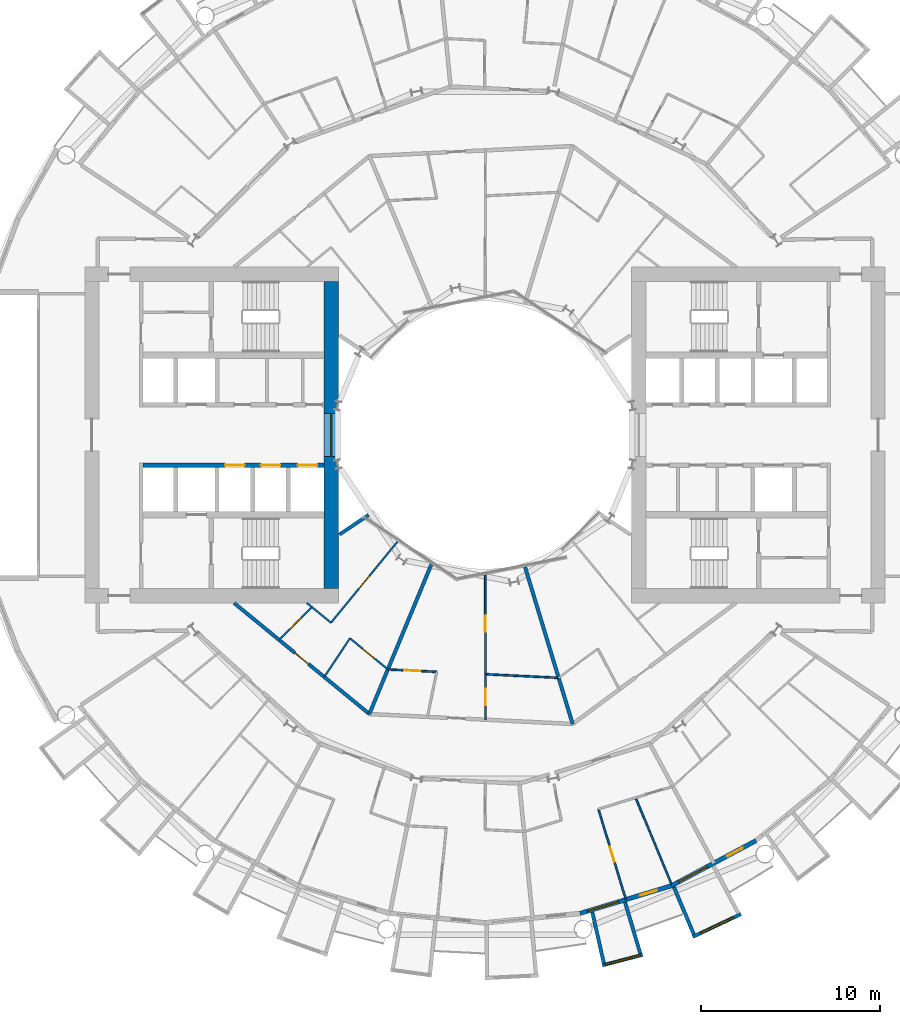
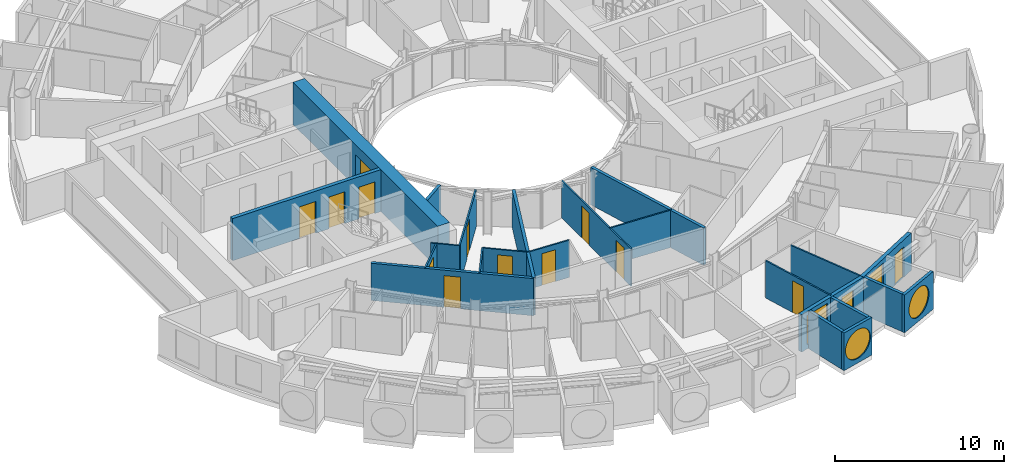
# One storey, part 15 of 25: 23 walls, 13 doors, 5 windows, 18 openings.
"""IFC4 building model written with IfcOpenShell, lengths in metres."""

from ifc_helpers import new_model, si_unit, direction, frame, frame_2d, origin, place, context, subcontext, project, spatial, rectangle, circle, extrude, material, layer, layer_set, type_object, element, fill, save


model = new_model("IFC4")

# Units and contexts
model_context = context("Model", 3, precision=1e-05, world=origin(), true_north=direction((0.0, 1.0)))
body_context = subcontext(model_context, "Body", "Model", "MODEL_VIEW")
ifc_project = project(units=[si_unit("LENGTHUNIT", "METRE"), si_unit("AREAUNIT", "SQUARE_METRE"), si_unit("VOLUMEUNIT", "CUBIC_METRE"), si_unit("PLANEANGLEUNIT", "RADIAN"), si_unit("MASSUNIT", "GRAM", prefix="KILO")], contexts=[model_context])

# Site, building, storey
site_placement = place(None, origin())
site = spatial("IfcSite", under=ifc_project, at=site_placement, CompositionType="ELEMENT")
building_placement = place(site_placement, origin())
building = spatial("IfcBuilding", under=site, at=building_placement, Name="Maasbend Ring Residences", CompositionType="ELEMENT")
storey_placement = place(building_placement, frame((0.0, 0.0, 41.10009765625)))
storey = spatial("IfcBuildingStorey", under=building, at=storey_placement, Name="L11", CompositionType="ELEMENT", Elevation=41.10009765625)

# Wall, openings, doors
ifc_material_1 = material(Name="Concrete C70/85", Category="concrete")
ifc_layer_1 = layer(ifc_material_1, 0.25)
ifc_layer_set_1 = layer_set([ifc_layer_1], Name="Concrete C70/85")
wall_type_1 = type_object("IfcWallType", Name="CORE WALL 250 C70/85", PredefinedType="SHEAR", material=ifc_layer_set_1)
wall_1_placement = place(storey_placement, frame((-9.0, -1.699951171875, 0.0), z_axis=(0.0, 0.0, 1.0), x_axis=(-1.0, 0.0, 0.0)))
wall_1 = element("IfcWall", 1, at=wall_1_placement, inside=storey, type_object=wall_type_1, Name="L11 core W wall SPN", PredefinedType="SHEAR", context=body_context, shape_type="SweptSolid", body=[
    extrude(rectangle(XDim=10.14990234375, YDim=0.25, at=frame_2d((5.074951171875, 0.0))), origin(), (0.0, 0.0, 1.0), 3.0498046875),
])
opening_1_placement = place(wall_1_placement, frame((0.387451171875, 0.0, 0.0)))
opening_1 = element("IfcOpeningElement", 2, at=opening_1_placement, cuts=wall_1, Name="Opening LD-W1101", PredefinedType="OPENING", context=body_context, shape_type="SweptSolid", body=[
    extrude(rectangle(XDim=1.10009765625, YDim=2.300048828125, at=frame_2d((0.550048828125, 1.14990234375))), frame((0.0, 0.135009765625, 0.0), z_axis=(0.0, -1.0, 0.0), x_axis=(1.0, 0.0, 0.0)), (0.0, 0.0, 1.0), 0.27001953125),
])
opening_2_placement = place(wall_1_placement, frame((2.449951171875, 0.0, 0.0)))
opening_2 = element("IfcOpeningElement", 3, at=opening_2_placement, cuts=wall_1, Name="Opening LD-W1102", PredefinedType="OPENING", context=body_context, shape_type="SweptSolid", body=[
    extrude(rectangle(XDim=1.10009765625, YDim=2.300048828125, at=frame_2d((0.550048828125, 1.14990234375))), frame((0.0, 0.135009765625, 0.0), z_axis=(0.0, -1.0, 0.0), x_axis=(1.0, 0.0, 0.0)), (0.0, 0.0, 1.0), 0.27001953125),
])
opening_3_placement = place(wall_1_placement, frame((4.449951171875, 0.0, 0.0)))
opening_3 = element("IfcOpeningElement", 4, at=opening_3_placement, cuts=wall_1, Name="Opening LD-W1103", PredefinedType="OPENING", context=body_context, shape_type="SweptSolid", body=[
    extrude(rectangle(XDim=1.10009765625, YDim=2.300048828125, at=frame_2d((0.550048828125, 1.14990234375))), frame((0.0, 0.135009765625, 0.0), z_axis=(0.0, -1.0, 0.0), x_axis=(1.0, 0.0, 0.0)), (0.0, 0.0, 1.0), 0.27001953125),
])
ifc_material_2 = material(Name="Stainless steel 316", Category="steel")
door_type_1 = type_object("IfcDoorType", Name="LANDING DOOR 1100 X 2300 FD60", OperationType="DOUBLE_DOOR_SLIDING", PredefinedType="DOOR", material=ifc_material_2)
door_1_placement = place(opening_1_placement, origin())
door_1 = element("IfcDoor", 5, at=door_1_placement, inside=storey, type_object=door_type_1, Name="Landing door LR-W1 L11", OperationType="DOUBLE_DOOR_SLIDING", OverallHeight=2.300048828125, OverallWidth=1.10009765625, PredefinedType="DOOR", context=body_context, shape_type="SweptSolid", body=[
    extrude(rectangle(XDim=1.10009765625, YDim=2.300048828125, at=frame_2d((0.550048828125, 1.14990234375))), frame((0.0, 0.02490234375, 0.0), z_axis=(0.0, -1.0, 0.0), x_axis=(1.0, 0.0, 0.0)), (0.0, 0.0, 1.0), 0.050048828125),
])
fill(opening_1, door_1)
door_2_placement = place(opening_2_placement, origin())
door_2 = element("IfcDoor", 6, at=door_2_placement, inside=storey, type_object=door_type_1, Name="Landing door LR-W2 L11", OperationType="DOUBLE_DOOR_SLIDING", OverallHeight=2.300048828125, OverallWidth=1.10009765625, PredefinedType="DOOR", context=body_context, shape_type="SweptSolid", body=[
    extrude(rectangle(XDim=1.10009765625, YDim=2.300048828125, at=frame_2d((0.550048828125, 1.14990234375))), frame((0.0, 0.02490234375, 0.0), z_axis=(0.0, -1.0, 0.0), x_axis=(1.0, 0.0, 0.0)), (0.0, 0.0, 1.0), 0.050048828125),
])
fill(opening_2, door_2)
door_3_placement = place(opening_3_placement, origin())
door_3 = element("IfcDoor", 7, at=door_3_placement, inside=storey, type_object=door_type_1, Name="Landing door LR-W3 L11", OperationType="DOUBLE_DOOR_SLIDING", OverallHeight=2.300048828125, OverallWidth=1.10009765625, PredefinedType="DOOR", context=body_context, shape_type="SweptSolid", body=[
    extrude(rectangle(XDim=1.10009765625, YDim=2.300048828125, at=frame_2d((0.550048828125, 1.14990234375))), frame((0.0, 0.02490234375, 0.0), z_axis=(0.0, -1.0, 0.0), x_axis=(1.0, 0.0, 0.0)), (0.0, 0.0, 1.0), 0.050048828125),
])
fill(opening_3, door_3)

# Wall, opening, window
ifc_material_3 = material(Name="Concrete C70/85", Category="concrete")
ifc_layer_2 = layer(ifc_material_3, 0.800048828125)
ifc_layer_set_2 = layer_set([ifc_layer_2], Name="Concrete C70/85")
wall_type_2 = type_object("IfcWallType", Name="CORE WALL 800 C70/85", PredefinedType="SHEAR", material=ifc_layer_set_2)
wall_2_placement = place(storey_placement, frame((-8.60009765625, 8.60009765625, 0.0), z_axis=(0.0, 0.0, 1.0), x_axis=(0.0, -1.0, 0.0)))
wall_2 = element("IfcWall", 8, at=wall_2_placement, inside=storey, type_object=wall_type_2, Name="L11 core W wall PIN", PredefinedType="SHEAR", context=body_context, shape_type="SweptSolid", body=[
    extrude(rectangle(XDim=17.2001953125, YDim=0.800048828125, at=frame_2d((8.60009765625, 0.0))), origin(), (0.0, 0.0, 1.0), 3.0498046875),
])
opening_4_placement = place(wall_2_placement, frame((7.39990234375, 0.0, 0.10009765625)))
opening_4 = element("IfcOpeningElement", 9, at=opening_4_placement, cuts=wall_2, Name="Opening W-W1101", PredefinedType="OPENING", context=body_context, shape_type="SweptSolid", body=[
    extrude(rectangle(XDim=2.39990234375, YDim=2.199951171875, at=frame_2d((1.199951171875, 1.10009765625))), frame((0.0, 0.41015625, 0.0), z_axis=(0.0, -1.0, 0.0), x_axis=(1.0, 0.0, 0.0)), (0.0, 0.0, 1.0), 0.820068359375),
])
ifc_material_4 = material(Name="Aluminium frame and clear glass", Category="aluminium")
window_type_1 = type_object("IfcWindowType", Name="FIXED WINDOW 2400 X 2200", PartitioningType="SINGLE_PANEL", PredefinedType="WINDOW", material=ifc_material_4)
window_1_placement = place(opening_4_placement, origin())
window_1 = element("IfcWindow", 10, at=window_1_placement, inside=storey, type_object=window_type_1, Name="Lobby window L11", OverallHeight=2.199951171875, OverallWidth=2.39990234375, PartitioningType="SINGLE_PANEL", PredefinedType="WINDOW", context=body_context, shape_type="SweptSolid", body=[
    extrude(rectangle(XDim=2.39990234375, YDim=2.199951171875, at=frame_2d((1.199951171875, 1.10009765625))), frame((0.0, 0.030029296875, 0.0), z_axis=(0.0, -1.0, 0.0), x_axis=(1.0, 0.0, 0.0)), (0.0, 0.0, 1.0), 0.06005859375),
])
fill(opening_4, window_1)

# Wall, opening, door
ifc_material_5 = material(Name="Concrete C30/37", Category="concrete")
ifc_layer_3 = layer(ifc_material_5, 0.199951171875)
ifc_layer_set_3 = layer_set([ifc_layer_3], Name="Concrete C30/37")
wall_type_3 = type_object("IfcWallType", Name="CORRIDOR WALL 200 CONCRETE", PredefinedType="PARTITIONING", material=ifc_layer_set_3)
wall_3_placement = place(storey_placement, frame((-14.0380859375, -9.402099609375, 0.0), z_axis=(0.0, 0.0, 1.0), x_axis=(0.773084654695, -0.634302858794, 0.0)))
wall_3 = element("IfcWall", 11, at=wall_3_placement, inside=storey, type_object=wall_type_3, Name="U-L11-w019", PredefinedType="PARTITIONING", context=body_context, shape_type="SweptSolid", body=[
    extrude(rectangle(XDim=9.793212890625, YDim=0.199951171875, at=frame_2d((4.896484375, 0.0))), origin(), (0.0, 0.0, 1.0), 2.699951171875),
])
opening_5_placement = place(wall_3_placement, frame((4.386962890625, 0.0, 0.0)))
opening_5 = element("IfcOpeningElement", 12, at=opening_5_placement, cuts=wall_3, Name="Opening D-1157", PredefinedType="OPENING", context=body_context, shape_type="SweptSolid", body=[
    extrude(rectangle(XDim=1.0, YDim=2.300048828125, at=frame_2d((0.5, 1.14990234375))), frame((0.0, 0.10986328125, 0.0), z_axis=(0.0, -1.0, 0.0), x_axis=(1.0, 0.0, 0.0)), (0.0, 0.0, 1.0), 0.219970703125),
])
ifc_material_6 = material(Name="Timber, fire-rated, painted", Category="wood")
door_type_2 = type_object("IfcDoorType", Name="FLAT ENTRANCE DOOR 1000 X 2300 FIRE-RATED", OperationType="NOTDEFINED", PredefinedType="DOOR", material=ifc_material_6)
door_4_placement = place(opening_5_placement, origin())
door_4 = element("IfcDoor", 13, at=door_4_placement, inside=storey, type_object=door_type_2, Name="D-1157", OperationType="SINGLE_SWING_LEFT", OverallHeight=2.300048828125, OverallWidth=1.0, PredefinedType="DOOR", context=body_context, shape_type="SweptSolid", body=[
    extrude(rectangle(XDim=1.0, YDim=2.300048828125, at=frame_2d((0.5, 1.14990234375))), frame((0.0, 0.02490234375, 0.0), z_axis=(0.0, -1.0, 0.0), x_axis=(1.0, 0.0, 0.0)), (0.0, 0.0, 1.0), 0.050048828125),
])
fill(opening_5, door_4)

# Wall, opening, window
ifc_material_7 = material(Name="Pale anodised aluminium panel", Category="aluminium")
ifc_layer_4 = layer(ifc_material_7, 0.199951171875)
ifc_layer_set_4 = layer_set([ifc_layer_4], Name="EW-BOX")
wall_type_4 = type_object("IfcWallType", Name="EW-BOX", PredefinedType="SOLIDWALL", material=ifc_layer_set_4)
wall_4_placement = place(storey_placement, frame((6.568115234375, -29.681884765625, -0.030029296875), z_axis=(0.0, 0.0, 1.0), x_axis=(0.967377102346, 0.253340762326, 0.0)))
wall_4 = element("IfcWall", 14, at=wall_4_placement, inside=storey, type_object=wall_type_4, Name="Box front S13", PredefinedType="SOLIDWALL", context=body_context, shape_type="SweptSolid", body=[
    extrude(rectangle(XDim=2.3359375, YDim=0.199951171875, at=frame_2d((1.16796875, 0.0))), origin(), (0.0, 0.0, 1.0), 2.72998046875),
])
opening_6_placement = place(wall_4_placement, frame((0.128173828125, 0.0, 0.330078125)))
opening_6 = element("IfcOpeningElement", 15, at=opening_6_placement, cuts=wall_4, Name="Opening W-RD", PredefinedType="OPENING", context=body_context, shape_type="SweptSolid", body=[
    extrude(circle(Radius=1.0400390625, at=frame_2d((1.0400390625, 1.0400390625))), frame((0.0, 0.10986328125, 0.0), z_axis=(0.0, -1.0, 0.0), x_axis=(1.0, 0.0, 0.0)), (0.0, 0.0, 1.0), 0.219970703125),
])
ifc_material_8 = material(Name="Aluminium and clear glass", Category="aluminium")
window_type_2 = type_object("IfcWindowType", Name="W-RD", PartitioningType="SINGLE_PANEL", PredefinedType="WINDOW", material=ifc_material_8)
window_2_placement = place(opening_6_placement, origin())
window_2 = element("IfcWindow", 16, at=window_2_placement, inside=storey, type_object=window_type_2, Name="Round window S13", OverallHeight=2.080078125, OverallWidth=2.080078125, PartitioningType="SINGLE_PANEL", PredefinedType="WINDOW", context=body_context, shape_type="SweptSolid", body=[
    extrude(circle(Radius=1.0400390625, at=frame_2d((1.0400390625, 1.0400390625))), frame((0.0, 0.030029296875, 0.0), z_axis=(0.0, -1.0, 0.0), x_axis=(1.0, 0.0, 0.0)), (0.0, 0.0, 1.0), 0.06005859375),
])
fill(opening_6, window_2)

# Walls
wall_5_placement = place(storey_placement, frame((6.00390625, -26.699951171875, -0.030029296875), z_axis=(0.0, 0.0, 1.0), x_axis=(0.219609259383, -0.975587911566, 0.0)))
element("IfcWall", 17, at=wall_5_placement, inside=storey, type_object=wall_type_4, Name="Box side wall S13 left", PredefinedType="SOLIDWALL", context=body_context, shape_type="SweptSolid", body=[
    extrude(rectangle(XDim=2.9326171875, YDim=0.199951171875, at=frame_2d((1.46630859375, 0.0))), origin(), (0.0, 0.0, 1.0), 2.72998046875),
])
wall_6_placement = place(storey_placement, frame((7.8369140625, -26.14404296875, -0.030029296875), z_axis=(0.0, 0.0, 1.0), x_axis=(0.287064767992, -0.957911174889, 0.0)))
element("IfcWall", 18, at=wall_6_placement, inside=storey, type_object=wall_type_4, Name="Box side wall S13 right", PredefinedType="SOLIDWALL", context=body_context, shape_type="SweptSolid", body=[
    extrude(rectangle(XDim=3.00634765625, YDim=0.199951171875, at=frame_2d((1.503173828125, 0.0))), origin(), (0.0, 0.0, 1.0), 2.72998046875),
])

# Wall, opening, window
wall_7_placement = place(storey_placement, frame((11.62890625, -28.087890625, -0.030029296875), z_axis=(0.0, 0.0, 1.0), x_axis=(0.904000060331, 0.427532327342, 0.0)))
wall_7 = element("IfcWall", 19, at=wall_7_placement, inside=storey, type_object=wall_type_4, Name="Box front S15", PredefinedType="SOLIDWALL", context=body_context, shape_type="SweptSolid", body=[
    extrude(rectangle(XDim=2.993408203125, YDim=0.199951171875, at=frame_2d((1.49658203125, 0.0))), origin(), (0.0, 0.0, 1.0), 2.72998046875),
])
opening_7_placement = place(wall_7_placement, frame((0.45654296875, 0.0, 0.330078125)))
opening_7 = element("IfcOpeningElement", 20, at=opening_7_placement, cuts=wall_7, Name="Opening W-RD", PredefinedType="OPENING", context=body_context, shape_type="SweptSolid", body=[
    extrude(circle(Radius=1.0400390625, at=frame_2d((1.0400390625, 1.0400390625))), frame((0.0, 0.10986328125, 0.0), z_axis=(0.0, -1.0, 0.0), x_axis=(1.0, 0.0, 0.0)), (0.0, 0.0, 1.0), 0.219970703125),
])
window_3_placement = place(opening_7_placement, origin())
window_3 = element("IfcWindow", 21, at=window_3_placement, inside=storey, type_object=window_type_2, Name="Round window S15", OverallHeight=2.080078125, OverallWidth=2.080078125, PartitioningType="SINGLE_PANEL", PredefinedType="WINDOW", context=body_context, shape_type="SweptSolid", body=[
    extrude(circle(Radius=1.0400390625, at=frame_2d((1.0400390625, 1.0400390625))), frame((0.0, 0.030029296875, 0.0), z_axis=(0.0, -1.0, 0.0), x_axis=(1.0, 0.0, 0.0)), (0.0, 0.0, 1.0), 0.06005859375),
])
fill(opening_7, window_3)

# Wall
wall_8_placement = place(storey_placement, frame((10.574951171875, -25.294921875, -0.030029296875), z_axis=(0.0, 0.0, 1.0), x_axis=(0.385697364644, -0.922625353492, 0.0)))
element("IfcWall", 22, at=wall_8_placement, inside=storey, type_object=wall_type_4, Name="Box side wall S15 left", PredefinedType="SOLIDWALL", context=body_context, shape_type="SweptSolid", body=[
    extrude(rectangle(XDim=2.88330078125, YDim=0.199951171875, at=frame_2d((1.441650390625, 0.0))), origin(), (0.0, 0.0, 1.0), 2.72998046875),
])

# Wall, openings, door, window
ifc_material_9 = material(Name="Aluminium clad insulated panel", Category="aluminium")
ifc_layer_5 = layer(ifc_material_9, 0.25)
ifc_layer_set_5 = layer_set([ifc_layer_5], Name="EW-GL")
wall_type_5 = type_object("IfcWallType", Name="EW-GL", PredefinedType="SOLIDWALL", material=ifc_layer_set_5)
wall_9_placement = place(storey_placement, frame((5.325927734375, -26.77490234375, 0.0), z_axis=(0.0, 0.0, 1.0), x_axis=(0.956965678721, 0.290201119486, 0.0)))
wall_9 = element("IfcWall", 23, at=wall_9_placement, inside=storey, type_object=wall_type_5, Name="External wall S07", PredefinedType="SOLIDWALL", context=body_context, shape_type="SweptSolid", body=[
    extrude(rectangle(XDim=5.351318359375, YDim=0.25, at=frame_2d((2.67578125, 0.0))), origin(), (0.0, 0.0, 1.0), 2.699951171875),
])
opening_8_placement = place(wall_9_placement, frame((0.441162109375, 0.0, 0.300048828125)))
opening_8 = element("IfcOpeningElement", 24, at=opening_8_placement, cuts=wall_9, Name="Opening W-BX", PredefinedType="OPENING", context=body_context, shape_type="SweptSolid", body=[
    extrude(rectangle(XDim=1.800048828125, YDim=2.10009765625, at=frame_2d((0.89990234375, 1.050048828125))), frame((0.0, 0.135009765625, 0.0), z_axis=(0.0, -1.0, 0.0), x_axis=(1.0, 0.0, 0.0)), (0.0, 0.0, 1.0), 0.27001953125),
])
opening_9_placement = place(wall_9_placement, frame((3.510498046875, 0.0, 0.0)))
opening_9 = element("IfcOpeningElement", 25, at=opening_9_placement, cuts=wall_9, Name="Opening D-LG", PredefinedType="OPENING", context=body_context, shape_type="SweptSolid", body=[
    extrude(rectangle(XDim=1.0, YDim=2.199951171875, at=frame_2d((0.5, 1.10009765625))), frame((0.0, 0.135009765625, 0.0), z_axis=(0.0, -1.0, 0.0), x_axis=(1.0, 0.0, 0.0)), (0.0, 0.0, 1.0), 0.27001953125),
])
ifc_material_10 = material(Name="Aluminium and clear glass", Category="aluminium")
door_type_3 = type_object("IfcDoorType", Name="D-LG", OperationType="SINGLE_SWING_LEFT", PredefinedType="DOOR", material=ifc_material_10)
door_5_placement = place(opening_9_placement, origin())
door_5 = element("IfcDoor", 26, at=door_5_placement, inside=storey, type_object=door_type_3, Name="Loggia door S14", OperationType="SINGLE_SWING_LEFT", OverallHeight=2.199951171875, OverallWidth=1.0, PredefinedType="DOOR", context=body_context, shape_type="SweptSolid", body=[
    extrude(rectangle(XDim=1.0, YDim=2.199951171875, at=frame_2d((0.5, 1.10009765625))), frame((0.0, 0.02490234375, 0.0), z_axis=(0.0, -1.0, 0.0), x_axis=(1.0, 0.0, 0.0)), (0.0, 0.0, 1.0), 0.050048828125),
])
fill(opening_9, door_5)
ifc_material_11 = material(Name="Aluminium and clear glass", Category="aluminium")
window_type_3 = type_object("IfcWindowType", Name="W-BX", PartitioningType="DOUBLE_PANEL_VERTICAL", PredefinedType="WINDOW", material=ifc_material_11)
window_4_placement = place(opening_8_placement, origin())
window_4 = element("IfcWindow", 27, at=window_4_placement, inside=storey, type_object=window_type_3, Name="Window S13 room to box", OverallHeight=2.10009765625, OverallWidth=1.800048828125, PartitioningType="SINGLE_PANEL", PredefinedType="WINDOW", context=body_context, shape_type="SweptSolid", body=[
    extrude(rectangle(XDim=1.800048828125, YDim=2.10009765625, at=frame_2d((0.89990234375, 1.050048828125))), frame((0.0, 0.030029296875, 0.0), z_axis=(0.0, -1.0, 0.0), x_axis=(1.0, 0.0, 0.0)), (0.0, 0.0, 1.0), 0.06005859375),
])
fill(opening_8, window_4)

wall_10_placement = place(storey_placement, frame((10.447021484375, -25.221923828125, 0.0), z_axis=(0.0, 0.0, 1.0), x_axis=(0.881915646801, 0.471407246368, 0.0)))
wall_10 = element("IfcWall", 28, at=wall_10_placement, inside=storey, type_object=wall_type_5, Name="External wall S08", PredefinedType="SOLIDWALL", context=body_context, shape_type="SweptSolid", body=[
    extrude(rectangle(XDim=5.35205078125, YDim=0.25, at=frame_2d((2.676025390625, 0.0))), origin(), (0.0, 0.0, 1.0), 2.699951171875),
])
opening_10_placement = place(wall_10_placement, frame((0.441162109375, 0.0, 0.300048828125)))
opening_10 = element("IfcOpeningElement", 29, at=opening_10_placement, cuts=wall_10, Name="Opening W-BX", PredefinedType="OPENING", context=body_context, shape_type="SweptSolid", body=[
    extrude(rectangle(XDim=1.800048828125, YDim=2.10009765625, at=frame_2d((0.89990234375, 1.050048828125))), frame((0.0, 0.135009765625, 0.0), z_axis=(0.0, -1.0, 0.0), x_axis=(1.0, 0.0, 0.0)), (0.0, 0.0, 1.0), 0.27001953125),
])
opening_11_placement = place(wall_10_placement, frame((3.510498046875, 0.0, 0.0)))
opening_11 = element("IfcOpeningElement", 30, at=opening_11_placement, cuts=wall_10, Name="Opening D-LG", PredefinedType="OPENING", context=body_context, shape_type="SweptSolid", body=[
    extrude(rectangle(XDim=1.0, YDim=2.199951171875, at=frame_2d((0.5, 1.10009765625))), frame((0.0, 0.135009765625, 0.0), z_axis=(0.0, -1.0, 0.0), x_axis=(1.0, 0.0, 0.0)), (0.0, 0.0, 1.0), 0.27001953125),
])
door_6_placement = place(opening_11_placement, origin())
door_6 = element("IfcDoor", 31, at=door_6_placement, inside=storey, type_object=door_type_3, Name="Loggia door S16", OperationType="SINGLE_SWING_LEFT", OverallHeight=2.199951171875, OverallWidth=1.0, PredefinedType="DOOR", context=body_context, shape_type="SweptSolid", body=[
    extrude(rectangle(XDim=1.0, YDim=2.199951171875, at=frame_2d((0.5, 1.10009765625))), frame((0.0, 0.02490234375, 0.0), z_axis=(0.0, -1.0, 0.0), x_axis=(1.0, 0.0, 0.0)), (0.0, 0.0, 1.0), 0.050048828125),
])
fill(opening_11, door_6)
window_5_placement = place(opening_10_placement, origin())
window_5 = element("IfcWindow", 32, at=window_5_placement, inside=storey, type_object=window_type_3, Name="Window S15 room to box", OverallHeight=2.10009765625, OverallWidth=1.800048828125, PartitioningType="SINGLE_PANEL", PredefinedType="WINDOW", context=body_context, shape_type="SweptSolid", body=[
    extrude(rectangle(XDim=1.800048828125, YDim=2.10009765625, at=frame_2d((0.89990234375, 1.050048828125))), frame((0.0, 0.030029296875, 0.0), z_axis=(0.0, -1.0, 0.0), x_axis=(1.0, 0.0, 0.0)), (0.0, 0.0, 1.0), 0.06005859375),
])
fill(opening_10, window_5)

# Wall
ifc_material_12 = material(Name="Gypsum board on steel studs", Category="steel")
ifc_layer_6 = layer(ifc_material_12, 0.10009765625)
ifc_layer_set_6 = layer_set([ifc_layer_6], Name="PARTITION 100 GYPSUM")
wall_type_6 = type_object("IfcWallType", Name="PARTITION 100 GYPSUM", PredefinedType="PARTITIONING", material=ifc_layer_set_6)
wall_11_placement = place(storey_placement, frame((-9.970947265625, -9.39599609375, 0.0), z_axis=(0.0, 0.0, 1.0), x_axis=(0.77321028337, -0.634149712363, 0.0)))
element("IfcWall", 33, at=wall_11_placement, inside=storey, type_object=wall_type_6, Name="U-L11-w022", PredefinedType="PARTITIONING", context=body_context, shape_type="SweptSolid", body=[
    extrude(rectangle(XDim=1.74853515625, YDim=0.10009765625, at=frame_2d((0.874267578125, 0.0))), origin(), (0.0, 0.0, 1.0), 2.699951171875),
])

# Wall, opening, door
wall_12_placement = place(storey_placement, frame((-7.55810546875, -11.3759765625, 0.0), z_axis=(0.0, 0.0, 1.0), x_axis=(0.773049907698, -0.634345205868, 0.0)))
wall_12 = element("IfcWall", 34, at=wall_12_placement, inside=storey, type_object=wall_type_6, Name="U-L11-w023", PredefinedType="PARTITIONING", context=body_context, shape_type="SweptSolid", body=[
    extrude(rectangle(XDim=2.74755859375, YDim=0.10009765625, at=frame_2d((1.373779296875, 0.0))), origin(), (0.0, 0.0, 1.0), 2.699951171875),
])
opening_12_placement = place(wall_12_placement, frame((0.924072265625, 0.0, 0.0)))
opening_12 = element("IfcOpeningElement", 35, at=opening_12_placement, cuts=wall_12, Name="Opening D-1158", PredefinedType="OPENING", context=body_context, shape_type="SweptSolid", body=[
    extrude(rectangle(XDim=0.89990234375, YDim=2.300048828125, at=frame_2d((0.449951171875, 1.14990234375))), frame((0.0, 0.06005859375, 0.0), z_axis=(0.0, -1.0, 0.0), x_axis=(1.0, 0.0, 0.0)), (0.0, 0.0, 1.0), 0.1201171875),
])
ifc_material_13 = material(Name="Timber, painted", Category="wood")
door_type_4 = type_object("IfcDoorType", Name="INTERNAL DOOR 900 X 2300", OperationType="NOTDEFINED", PredefinedType="DOOR", material=ifc_material_13)
door_7_placement = place(opening_12_placement, origin())
door_7 = element("IfcDoor", 36, at=door_7_placement, inside=storey, type_object=door_type_4, Name="D-1158", OperationType="SINGLE_SWING_LEFT", OverallHeight=2.300048828125, OverallWidth=0.89990234375, PredefinedType="DOOR", context=body_context, shape_type="SweptSolid", body=[
    extrude(rectangle(XDim=0.89990234375, YDim=2.300048828125, at=frame_2d((0.449951171875, 1.14990234375))), frame((0.0, 0.02490234375, 0.0), z_axis=(0.0, -1.0, 0.0), x_axis=(1.0, 0.0, 0.0)), (0.0, 0.0, 1.0), 0.050048828125),
])
fill(opening_12, door_7)

wall_13_placement = place(storey_placement, frame((-5.43408203125, -13.118896484375, 0.0), z_axis=(0.0, 0.0, 1.0), x_axis=(0.998796928508, -0.049037695739, 0.0)))
wall_13 = element("IfcWall", 37, at=wall_13_placement, inside=storey, type_object=wall_type_6, Name="U-L11-w024", PredefinedType="PARTITIONING", context=body_context, shape_type="SweptSolid", body=[
    extrude(rectangle(XDim=2.733154296875, YDim=0.10009765625, at=frame_2d((1.36669921875, 0.0))), origin(), (0.0, 0.0, 1.0), 2.699951171875),
])
opening_13_placement = place(wall_13_placement, frame((0.9169921875, 0.0, 0.0)))
opening_13 = element("IfcOpeningElement", 38, at=opening_13_placement, cuts=wall_13, Name="Opening D-1162", PredefinedType="OPENING", context=body_context, shape_type="SweptSolid", body=[
    extrude(rectangle(XDim=0.89990234375, YDim=2.300048828125, at=frame_2d((0.449951171875, 1.14990234375))), frame((0.0, 0.06005859375, 0.0), z_axis=(0.0, -1.0, 0.0), x_axis=(1.0, 0.0, 0.0)), (0.0, 0.0, 1.0), 0.1201171875),
])
door_8_placement = place(opening_13_placement, origin())
door_8 = element("IfcDoor", 39, at=door_8_placement, inside=storey, type_object=door_type_4, Name="D-1162", OperationType="SINGLE_SWING_LEFT", OverallHeight=2.300048828125, OverallWidth=0.89990234375, PredefinedType="DOOR", context=body_context, shape_type="SweptSolid", body=[
    extrude(rectangle(XDim=0.89990234375, YDim=2.300048828125, at=frame_2d((0.449951171875, 1.14990234375))), frame((0.0, 0.02490234375, 0.0), z_axis=(0.0, -1.0, 0.0), x_axis=(1.0, 0.0, 0.0)), (0.0, 0.0, 1.0), 0.050048828125),
])
fill(opening_13, door_8)

# Wall
wall_14_placement = place(storey_placement, frame((0.030029296875, -13.386962890625, 0.0), z_axis=(0.0, 0.0, 1.0), x_axis=(0.998798386358, -0.049007993321, 0.0)))
element("IfcWall", 40, at=wall_14_placement, inside=storey, type_object=wall_type_6, Name="U-L11-w025", PredefinedType="PARTITIONING", context=body_context, shape_type="SweptSolid", body=[
    extrude(rectangle(XDim=4.099853515625, YDim=0.10009765625, at=frame_2d((2.0498046875, 0.0))), origin(), (0.0, 0.0, 1.0), 2.699951171875),
])

# Wall, opening, door
wall_15_placement = place(storey_placement, frame((-11.52392578125, -11.464111328125, 0.0), z_axis=(0.0, 0.0, 1.0), x_axis=(0.708796844581, 0.705412668665, 0.0)))
wall_15 = element("IfcWall", 41, at=wall_15_placement, inside=storey, type_object=wall_type_6, Name="U-L11-w043", PredefinedType="PARTITIONING", context=body_context, shape_type="SweptSolid", body=[
    extrude(rectangle(XDim=2.59716796875, YDim=0.10009765625, at=frame_2d((1.298583984375, 0.0))), origin(), (0.0, 0.0, 1.0), 2.699951171875),
])
opening_14_placement = place(wall_15_placement, frame((0.84912109375, 0.0, 0.0)))
opening_14 = element("IfcOpeningElement", 42, at=opening_14_placement, cuts=wall_15, Name="Opening D-1159", PredefinedType="OPENING", context=body_context, shape_type="SweptSolid", body=[
    extrude(rectangle(XDim=0.89990234375, YDim=2.300048828125, at=frame_2d((0.449951171875, 1.14990234375))), frame((0.0, 0.06005859375, 0.0), z_axis=(0.0, -1.0, 0.0), x_axis=(1.0, 0.0, 0.0)), (0.0, 0.0, 1.0), 0.1201171875),
])
door_9_placement = place(opening_14_placement, origin())
door_9 = element("IfcDoor", 43, at=door_9_placement, inside=storey, type_object=door_type_4, Name="D-1159", OperationType="SINGLE_SWING_RIGHT", OverallHeight=2.300048828125, OverallWidth=0.89990234375, PredefinedType="DOOR", context=body_context, shape_type="SweptSolid", body=[
    extrude(rectangle(XDim=0.89990234375, YDim=2.300048828125, at=frame_2d((0.449951171875, 1.14990234375))), frame((0.0, 0.02490234375, 0.0), z_axis=(0.0, -1.0, 0.0), x_axis=(1.0, 0.0, 0.0)), (0.0, 0.0, 1.0), 0.050048828125),
])
fill(opening_14, door_9)

# Wall
wall_16_placement = place(storey_placement, frame((-8.99609375, -13.5390625, 0.0), z_axis=(0.0, 0.0, 1.0), x_axis=(0.553615197403, 0.83277260594, 0.0)))
element("IfcWall", 44, at=wall_16_placement, inside=storey, type_object=wall_type_6, Name="U-L11-w047", PredefinedType="PARTITIONING", context=body_context, shape_type="SweptSolid", body=[
    extrude(rectangle(XDim=2.597412109375, YDim=0.10009765625, at=frame_2d((1.298828125, 0.0))), origin(), (0.0, 0.0, 1.0), 2.699951171875),
])

# Wall, opening, door
wall_17_placement = place(storey_placement, frame((-8.6201171875, -10.50390625, 0.0), z_axis=(0.0, 0.0, 1.0), x_axis=(0.634358693064, 0.773038840249, 0.0)))
wall_17 = element("IfcWall", 45, at=wall_17_placement, inside=storey, type_object=wall_type_6, Name="U-L11-w049", PredefinedType="PARTITIONING", context=body_context, shape_type="SweptSolid", body=[
    extrude(rectangle(XDim=5.86767578125, YDim=0.10009765625, at=frame_2d((2.933837890625, 0.0))), origin(), (0.0, 0.0, 1.0), 2.699951171875),
])
opening_15_placement = place(wall_17_placement, frame((2.48388671875, 0.0, 0.0)))
opening_15 = element("IfcOpeningElement", 46, at=opening_15_placement, cuts=wall_17, Name="Opening D-1160", PredefinedType="OPENING", context=body_context, shape_type="SweptSolid", body=[
    extrude(rectangle(XDim=0.89990234375, YDim=2.300048828125, at=frame_2d((0.449951171875, 1.14990234375))), frame((0.0, 0.06005859375, 0.0), z_axis=(0.0, -1.0, 0.0), x_axis=(1.0, 0.0, 0.0)), (0.0, 0.0, 1.0), 0.1201171875),
])
door_10_placement = place(opening_15_placement, origin())
door_10 = element("IfcDoor", 47, at=door_10_placement, inside=storey, type_object=door_type_4, Name="D-1160", OperationType="SINGLE_SWING_RIGHT", OverallHeight=2.300048828125, OverallWidth=0.89990234375, PredefinedType="DOOR", context=body_context, shape_type="SweptSolid", body=[
    extrude(rectangle(XDim=0.89990234375, YDim=2.300048828125, at=frame_2d((0.449951171875, 1.14990234375))), frame((0.0, 0.02490234375, 0.0), z_axis=(0.0, -1.0, 0.0), x_axis=(1.0, 0.0, 0.0)), (0.0, 0.0, 1.0), 0.050048828125),
])
fill(opening_15, door_10)

# Wall, openings, doors
wall_18_placement = place(storey_placement, frame((0.031982421875, -15.93310546875, 0.0), z_axis=(0.0, 0.0, 1.0), x_axis=(-0.0019321625, 0.999998133372, 0.0)))
wall_18 = element("IfcWall", 48, at=wall_18_placement, inside=storey, type_object=wall_type_6, Name="U-L11-w065", PredefinedType="PARTITIONING", context=body_context, shape_type="SweptSolid", body=[
    extrude(rectangle(XDim=8.213134765625, YDim=0.10009765625, at=frame_2d((4.1064453125, 0.0))), origin(), (0.0, 0.0, 1.0), 2.699951171875),
])
opening_16_placement = place(wall_18_placement, frame((0.822998046875, 0.0, 0.0)))
opening_16 = element("IfcOpeningElement", 49, at=opening_16_placement, cuts=wall_18, Name="Opening D-1163", PredefinedType="OPENING", context=body_context, shape_type="SweptSolid", body=[
    extrude(rectangle(XDim=0.89990234375, YDim=2.300048828125, at=frame_2d((0.449951171875, 1.14990234375))), frame((0.0, 0.06005859375, 0.0), z_axis=(0.0, -1.0, 0.0), x_axis=(1.0, 0.0, 0.0)), (0.0, 0.0, 1.0), 0.1201171875),
])
opening_17_placement = place(wall_18_placement, frame((4.929931640625, 0.0, 0.0)))
opening_17 = element("IfcOpeningElement", 50, at=opening_17_placement, cuts=wall_18, Name="Opening D-1164", PredefinedType="OPENING", context=body_context, shape_type="SweptSolid", body=[
    extrude(rectangle(XDim=0.89990234375, YDim=2.300048828125, at=frame_2d((0.449951171875, 1.14990234375))), frame((0.0, 0.06005859375, 0.0), z_axis=(0.0, -1.0, 0.0), x_axis=(1.0, 0.0, 0.0)), (0.0, 0.0, 1.0), 0.1201171875),
])
door_11_placement = place(opening_16_placement, origin())
door_11 = element("IfcDoor", 51, at=door_11_placement, inside=storey, type_object=door_type_4, Name="D-1163", OperationType="SINGLE_SWING_LEFT", OverallHeight=2.300048828125, OverallWidth=0.89990234375, PredefinedType="DOOR", context=body_context, shape_type="SweptSolid", body=[
    extrude(rectangle(XDim=0.89990234375, YDim=2.300048828125, at=frame_2d((0.449951171875, 1.14990234375))), frame((0.0, 0.02490234375, 0.0), z_axis=(0.0, -1.0, 0.0), x_axis=(1.0, 0.0, 0.0)), (0.0, 0.0, 1.0), 0.050048828125),
])
fill(opening_16, door_11)
door_12_placement = place(opening_17_placement, origin())
door_12 = element("IfcDoor", 52, at=door_12_placement, inside=storey, type_object=door_type_4, Name="D-1164", OperationType="SINGLE_SWING_RIGHT", OverallHeight=2.300048828125, OverallWidth=0.89990234375, PredefinedType="DOOR", context=body_context, shape_type="SweptSolid", body=[
    extrude(rectangle(XDim=0.89990234375, YDim=2.300048828125, at=frame_2d((0.449951171875, 1.14990234375))), frame((0.0, 0.02490234375, 0.0), z_axis=(0.0, -1.0, 0.0), x_axis=(1.0, 0.0, 0.0)), (0.0, 0.0, 1.0), 0.050048828125),
])
fill(opening_17, door_12)

# Wall, opening, door
wall_19_placement = place(storey_placement, frame((6.34912109375, -20.929931640625, 0.0), z_axis=(0.0, 0.0, 1.0), x_axis=(0.290172218727, -0.956974442438, 0.0)))
wall_19 = element("IfcWall", 53, at=wall_19_placement, inside=storey, type_object=wall_type_6, Name="U-L11-w077", PredefinedType="PARTITIONING", context=body_context, shape_type="SweptSolid", body=[
    extrude(rectangle(XDim=5.30322265625, YDim=0.10009765625, at=frame_2d((2.651611328125, 0.0))), origin(), (0.0, 0.0, 1.0), 2.699951171875),
])
opening_18_placement = place(wall_19_placement, frame((2.201904296875, 0.0, 0.0)))
opening_18 = element("IfcOpeningElement", 54, at=opening_18_placement, cuts=wall_19, Name="Opening D-1149", PredefinedType="OPENING", context=body_context, shape_type="SweptSolid", body=[
    extrude(rectangle(XDim=0.89990234375, YDim=2.300048828125, at=frame_2d((0.449951171875, 1.14990234375))), frame((0.0, 0.06005859375, 0.0), z_axis=(0.0, -1.0, 0.0), x_axis=(1.0, 0.0, 0.0)), (0.0, 0.0, 1.0), 0.1201171875),
])
door_13_placement = place(opening_18_placement, origin())
door_13 = element("IfcDoor", 55, at=door_13_placement, inside=storey, type_object=door_type_4, Name="D-1149", OperationType="SINGLE_SWING_RIGHT", OverallHeight=2.300048828125, OverallWidth=0.89990234375, PredefinedType="DOOR", context=body_context, shape_type="SweptSolid", body=[
    extrude(rectangle(XDim=0.89990234375, YDim=2.300048828125, at=frame_2d((0.449951171875, 1.14990234375))), frame((0.0, 0.02490234375, 0.0), z_axis=(0.0, -1.0, 0.0), x_axis=(1.0, 0.0, 0.0)), (0.0, 0.0, 1.0), 0.050048828125),
])
fill(opening_18, door_13)

# Walls
wall_20_placement = place(storey_placement, frame((8.430908203125, -20.298095703125, 0.0), z_axis=(0.0, 0.0, 1.0), x_axis=(0.383640855682, -0.92348237333, 0.0)))
element("IfcWall", 56, at=wall_20_placement, inside=storey, type_object=wall_type_6, Name="U-L11-w079", PredefinedType="PARTITIONING", context=body_context, shape_type="SweptSolid", body=[
    extrude(rectangle(XDim=5.1953125, YDim=0.10009765625, at=frame_2d((2.59765625, 0.0))), origin(), (0.0, 0.0, 1.0), 2.699951171875),
])
ifc_material_14 = material(Name="Concrete C30/37", Category="concrete")
ifc_layer_7 = layer(ifc_material_14, 0.199951171875)
ifc_layer_set_7 = layer_set([ifc_layer_7], Name="Concrete C30/37")
wall_type_7 = type_object("IfcWallType", Name="PARTY WALL 200 CONCRETE", PredefinedType="PARTITIONING", material=ifc_layer_set_7)
wall_21_placement = place(storey_placement, frame((-6.512939453125, -4.471923828125, 0.0), z_axis=(0.0, 0.0, 1.0), x_axis=(-0.831417956244, -0.555647533996, 0.0)))
element("IfcWall", 57, at=wall_21_placement, inside=storey, type_object=wall_type_7, Name="U-L11-w030", PredefinedType="PARTITIONING", context=body_context, shape_type="SweptSolid", body=[
    extrude(rectangle(XDim=1.9619140625, YDim=0.199951171875, at=frame_2d((0.98095703125, 0.0))), origin(), (0.0, 0.0, 1.0), 2.699951171875),
])
wall_22_placement = place(storey_placement, frame((-6.471923828125, -15.612060546875, 0.0), z_axis=(0.0, 0.0, 1.0), x_axis=(0.382956910161, 0.923766206873, 0.0)))
element("IfcWall", 58, at=wall_22_placement, inside=storey, type_object=wall_type_7, Name="U-L11-w053", PredefinedType="PARTITIONING", context=body_context, shape_type="SweptSolid", body=[
    extrude(rectangle(XDim=9.180908203125, YDim=0.199951171875, at=frame_2d((4.59033203125, 0.0))), origin(), (0.0, 0.0, 1.0), 2.699951171875),
])
wall_23_placement = place(storey_placement, frame((2.241943359375, -7.387939453125, 0.0), z_axis=(0.0, 0.0, 1.0), x_axis=(0.290225889812, -0.956958166736, 0.0)))
element("IfcWall", 59, at=wall_23_placement, inside=storey, type_object=wall_type_7, Name="U-L11-w069", PredefinedType="PARTITIONING", context=body_context, shape_type="SweptSolid", body=[
    extrude(rectangle(XDim=9.17919921875, YDim=0.199951171875, at=frame_2d((4.589599609375, 0.0))), origin(), (0.0, 0.0, 1.0), 2.699951171875),
])

save(model, "model.ifc")
